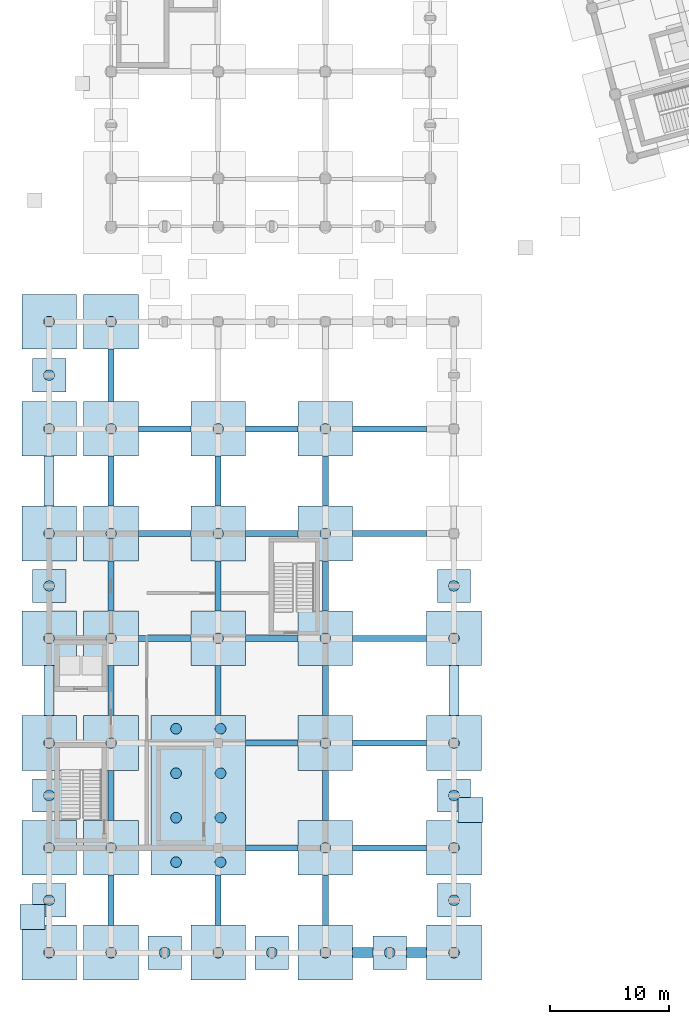
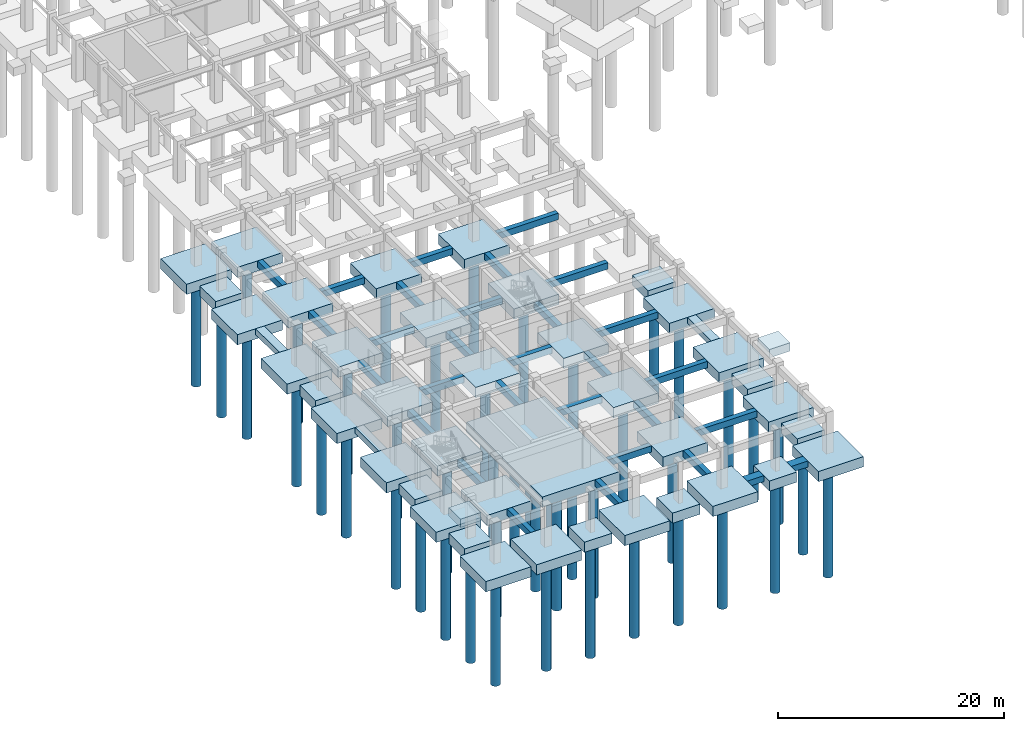
# One storey, part 1 of 20: 74 footings, 46 piles.
"""IFC4 building model written with IfcOpenShell, lengths in metres."""

from ifc_helpers import new_model, si_unit, direction, frame, origin, origin_2d, place, context, subcontext, project, spatial, rectangle, circle, extrude, material, material_profile, profile_set, type_object, element, save


model = new_model("IFC4")

# Units and contexts
model_context = context("Model", 3, precision=1e-05, world=origin(), true_north=direction((0.0, 1.0)))
body_context = subcontext(model_context, "Body", "Model", "MODEL_VIEW")
ifc_project = project(units=[si_unit("LENGTHUNIT", "METRE"), si_unit("AREAUNIT", "SQUARE_METRE"), si_unit("VOLUMEUNIT", "CUBIC_METRE"), si_unit("PLANEANGLEUNIT", "RADIAN"), si_unit("MASSUNIT", "GRAM", prefix="KILO")], contexts=[model_context])

# Site, building, storey
site_placement = place(None, origin())
site = spatial("IfcSite", under=ifc_project, at=site_placement, CompositionType="ELEMENT")
building_placement = place(site_placement, origin())
building = spatial("IfcBuilding", under=site, at=building_placement, Name="Ventoquebrada Cableway Terminal", CompositionType="ELEMENT")
storey_placement = place(building_placement, frame((0.0, 0.0, -4.5)))
storey = spatial("IfcBuildingStorey", under=building, at=storey_placement, Name="B1", CompositionType="ELEMENT", Elevation=-4.5)

# Footings
ifc_material = material(Name="Concrete C40/50", Category="concrete")
footing_type_1 = type_object("IfcFootingType", Name="FT-PC01", PredefinedType="PILE_CAP", material=ifc_material)
for number, where, z_axis, x_axis, name in (
    (1, (3.0, 3.0, -1.10009765625), (0.0, 0.0, 1.0), (1.0, 0.0, 0.0), "Reinforced concrete pile cap PC-001"),
    (2, (3.0, 11.800048828125, -1.10009765625), (0.0, 0.0, 1.0), (1.0, 0.0, 0.0), "Reinforced concrete pile cap PC-003"),
    (3, (8.199951171875, 11.800048828125, -1.10009765625), (0.0, 0.0, 1.0), (1.0, 0.0, 0.0), "Reinforced concrete pile cap PC-004"),
    (4, (3.0, 20.60009765625, -1.10009765625), (0.0, 0.0, 1.0), (1.0, 0.0, 0.0), "Reinforced concrete pile cap PC-006"),
    (5, (8.199951171875, 20.60009765625, -1.10009765625), (0.0, 0.0, 1.0), (1.0, 0.0, 0.0), "Reinforced concrete pile cap PC-007"),
    (6, (8.199951171875, 29.39990234375, -1.10009765625), (0.0, 0.0, 1.0), (1.0, 0.0, 0.0), "Reinforced concrete pile cap PC-008"),
    (7, (3.0, 29.39990234375, -1.10009765625), (0.0, 0.0, 1.0), (1.0, 0.0, 0.0), "Reinforced concrete pile cap PC-009"),
    (8, (8.199951171875, 38.199951171875, -1.10009765625), (0.0, 0.0, 1.0), (1.0, 0.0, 0.0), "Reinforced concrete pile cap PC-011"),
    (9, (3.0, 38.199951171875, -1.10009765625), (0.0, 0.0, 1.0), (1.0, 0.0, 0.0), "Reinforced concrete pile cap PC-012"),
    (10, (3.0, 47.0, -1.10009765625), (0.0, 0.0, 1.0), (1.0, 0.0, 0.0), "Reinforced concrete pile cap PC-013"),
    (11, (8.199951171875, 47.0, -1.10009765625), (0.0, 0.0, 1.0), (1.0, 0.0, 0.0), "Reinforced concrete pile cap PC-014"),
    (12, (3.0, 56.0, -1.10009765625), (0.0, 0.0, 1.0), (1.0, 0.0, 0.0), "Reinforced concrete pile cap PC-016"),
    (13, (8.199951171875, 56.0, -1.10009765625), (0.0, 0.0, 1.0), (1.0, 0.0, 0.0), "Reinforced concrete pile cap PC-017"),
    (14, (8.199951171875, 3.0, -1.10009765625), (0.0, 0.0, 1.0), (1.0, 0.0, 0.0), "Reinforced concrete pile cap PC-018"),
    (15, (17.199951171875, 3.0, -1.10009765625), (0.0, 0.0, 1.0), (1.0, 0.0, 0.0), "Reinforced concrete pile cap PC-020"),
    (16, (26.199951171875, 11.800048828125, -1.10009765625), (0.0, 0.0, 1.0), (1.0, 0.0, 0.0), "Reinforced concrete pile cap PC-023"),
    (17, (26.199951171875, 20.60009765625, -1.10009765625), (0.0, 0.0, 1.0), (1.0, 0.0, 0.0), "Reinforced concrete pile cap PC-024"),
    (18, (26.199951171875, 29.39990234375, -1.10009765625), (0.0, 0.0, 1.0), (1.0, 0.0, 0.0), "Reinforced concrete pile cap PC-025"),
    (19, (17.199951171875, 29.39990234375, -1.10009765625), (0.0, 0.0, 1.0), (1.0, 0.0, 0.0), "Reinforced concrete pile cap PC-026"),
    (20, (26.199951171875, 38.199951171875, -1.10009765625), (0.0, 0.0, 1.0), (1.0, 0.0, 0.0), "Reinforced concrete pile cap PC-027"),
    (21, (17.199951171875, 38.199951171875, -1.10009765625), (0.0, 0.0, 1.0), (1.0, 0.0, 0.0), "Reinforced concrete pile cap PC-028"),
    (22, (17.199951171875, 47.0, -1.10009765625), (0.0, 0.0, 1.0), (1.0, 0.0, 0.0), "Reinforced concrete pile cap PC-029"),
    (23, (26.199951171875, 3.0, -1.10009765625), (0.0, 0.0, 1.0), (1.0, 0.0, 0.0), "Reinforced concrete pile cap PC-033"),
    (24, (37.0, 3.0, -1.10009765625), (0.0, 0.0, 1.0), (1.0, 0.0, 0.0), "Reinforced concrete pile cap PC-035"),
    (25, (37.0, 11.800048828125, -1.10009765625), (0.0, 0.0, 1.0), (1.0, 0.0, 0.0), "Reinforced concrete pile cap PC-037"),
    (26, (37.0, 20.60009765625, -1.10009765625), (0.0, 0.0, 1.0), (1.0, 0.0, 0.0), "Reinforced concrete pile cap PC-039"),
    (27, (37.0, 29.39990234375, -1.10009765625), (0.0, 0.0, 1.0), (1.0, 0.0, 0.0), "Reinforced concrete pile cap PC-040"),
    (28, (26.199951171875, 47.0, -1.10009765625), (0.0, 0.0, 1.0), (1.0, 0.0, 0.0), "Reinforced concrete pile cap PC-043"),
):
    element("IfcFooting", number, at=place(storey_placement, frame(where, z_axis=z_axis, x_axis=x_axis)), inside=storey, type_object=footing_type_1, Name=name, PredefinedType="PILE_CAP", context=body_context, shape_type="SweptSolid", body=[
        extrude(rectangle(XDim=4.60009765625, YDim=4.60009765625, at=origin_2d()), origin(), (0.0, 0.0, 1.0), 1.10009765625),
    ])
footing_type_2 = type_object("IfcFootingType", Name="FT-PC02", PredefinedType="PILE_CAP", material=ifc_material)
for number, where, z_axis, x_axis, name in (
    (29, (3.0, 7.39990234375, -1.10009765625), (0.0, 0.0, 1.0), (1.0, 0.0, 0.0), "Reinforced concrete pile cap PC-002"),
    (30, (3.0, 16.199951171875, -1.10009765625), (0.0, 0.0, 1.0), (1.0, 0.0, 0.0), "Reinforced concrete pile cap PC-005"),
    (31, (3.0, 33.800048828125, -1.10009765625), (0.0, 0.0, 1.0), (1.0, 0.0, 0.0), "Reinforced concrete pile cap PC-010"),
    (32, (3.0, 51.5, -1.10009765625), (0.0, 0.0, 1.0), (1.0, 0.0, 0.0), "Reinforced concrete pile cap PC-015"),
    (33, (12.699951171875, 3.0, -1.10009765625), (0.0, 0.0, 1.0), (1.0, 0.0, 0.0), "Reinforced concrete pile cap PC-019"),
    (34, (21.699951171875, 3.0, -1.10009765625), (0.0, 0.0, 1.0), (1.0, 0.0, 0.0), "Reinforced concrete pile cap PC-021"),
    (35, (31.60009765625, 3.0, -1.10009765625), (0.0, 0.0, 1.0), (1.0, 0.0, 0.0), "Reinforced concrete pile cap PC-034"),
    (36, (37.0, 7.39990234375, -1.10009765625), (0.0, 0.0, 1.0), (1.0, 0.0, 0.0), "Reinforced concrete pile cap PC-036"),
    (37, (37.0, 16.199951171875, -1.10009765625), (0.0, 0.0, 1.0), (1.0, 0.0, 0.0), "Reinforced concrete pile cap PC-038"),
    (38, (37.0, 33.800048828125, -1.10009765625), (0.0, 0.0, 1.0), (1.0, 0.0, 0.0), "Reinforced concrete pile cap PC-041"),
):
    element("IfcFooting", number, at=place(storey_placement, frame(where, z_axis=z_axis, x_axis=x_axis)), inside=storey, type_object=footing_type_2, Name=name, PredefinedType="PILE_CAP", context=body_context, shape_type="SweptSolid", body=[
        extrude(rectangle(XDim=2.800048828125, YDim=2.800048828125, at=origin_2d()), origin(), (0.0, 0.0, 1.0), 1.10009765625),
    ])
footing_type_3 = type_object("IfcFootingType", Name="FT-PC03", PredefinedType="PILE_CAP", material=ifc_material)
footing_placement = place(storey_placement, frame((15.52490234375, 16.199951171875, -1.10009765625), z_axis=(0.0, 0.0, 1.0), x_axis=(1.0, 0.0, 0.0)))
element("IfcFooting", 39, at=footing_placement, inside=storey, type_object=footing_type_3, Name="Reinforced concrete pile cap PC-022", PredefinedType="PILE_CAP", context=body_context, shape_type="SweptSolid", body=[
    extrude(rectangle(XDim=7.949951171875, YDim=13.39990234375, at=origin_2d()), origin(), (0.0, 0.0, 1.0), 1.10009765625),
])
footing_type_4 = type_object("IfcFootingType", Name="FT-PD01", PredefinedType="PAD_FOOTING", material=ifc_material)
for number, where, z_axis, x_axis, name in (
    (40, (1.60009765625, 6.0, 3.320068359375), (0.0, 0.0, 1.0), (1.0, 0.0, 0.0), "Accessible ramp toe pad footing R2"),
    (41, (38.39990234375, 15.0, 3.320068359375), (0.0, 0.0, 1.0), (1.0, 0.0, 0.0), "Accessible ramp toe pad footing R3"),
):
    element("IfcFooting", number, at=place(storey_placement, frame(where, z_axis=z_axis, x_axis=x_axis)), inside=storey, type_object=footing_type_4, Name=name, PredefinedType="PAD_FOOTING", context=body_context, shape_type="SweptSolid", body=[
        extrude(rectangle(XDim=2.10009765625, YDim=2.10009765625, at=origin_2d()), origin(), (0.0, 0.0, 1.0), 0.89990234375),
    ])
footing_type_5 = type_object("IfcFootingType", Name="FT-SF01", PredefinedType="STRIP_FOOTING", material=ifc_material)
for number, where, z_axis, x_axis, name in (
    (42, (3.0, 25.0, -0.64990234375), (0.0, 0.0, 1.0), (0.0, 1.0, 0.0), "Reinforced concrete strip footing SF-001"),
    (43, (3.0, 42.60009765625, -0.64990234375), (0.0, 0.0, 1.0), (0.0, 1.0, 0.0), "Reinforced concrete strip footing SF-002"),
    (44, (37.0, 25.0, -0.64990234375), (0.0, 0.0, 1.0), (0.0, 1.0, 0.0), "Reinforced concrete strip footing SF-020"),
):
    element("IfcFooting", number, at=place(storey_placement, frame(where, z_axis=z_axis, x_axis=x_axis)), inside=storey, type_object=footing_type_5, Name=name, PredefinedType="STRIP_FOOTING", context=body_context, shape_type="SweptSolid", body=[
        extrude(rectangle(XDim=4.2041015625, YDim=0.85009765625, at=origin_2d()), origin(), (0.0, 0.0, 1.0), 0.64990234375),
    ])
footing_type_6 = type_object("IfcFootingType", Name="FT-SF04", PredefinedType="STRIP_FOOTING", material=ifc_material)
for number, where, z_axis, x_axis, name in (
    (45, (29.35009765625, 3.0, -0.64990234375), (0.0, 0.0, 1.0), (1.0, 0.0, 0.0), "Reinforced concrete strip footing SF-022"),
    (46, (33.85009765625, 3.0, -0.64990234375), (0.0, 0.0, 1.0), (1.0, 0.0, 0.0), "Reinforced concrete strip footing SF-023"),
):
    element("IfcFooting", number, at=place(storey_placement, frame(where, z_axis=z_axis, x_axis=x_axis)), inside=storey, type_object=footing_type_6, Name=name, PredefinedType="STRIP_FOOTING", context=body_context, shape_type="SweptSolid", body=[
        extrude(rectangle(XDim=1.7041015625, YDim=0.85009765625, at=origin_2d()), origin(), (0.0, 0.0, 1.0), 0.64990234375),
    ])
footing_type_7 = type_object("IfcFootingType", Name="FT-TB02", PredefinedType="FOOTING_BEAM", material=ifc_material)
for number, where, z_axis, x_axis, name in (
    (47, (8.199951171875, 7.39990234375, -0.7001953125), (0.0, 0.0, 1.0), (0.0, 1.0, 0.0), "Reinforced concrete seismic tie beam TB-003"),
    (48, (8.199951171875, 16.199951171875, -0.7001953125), (0.0, 0.0, 1.0), (0.0, 1.0, 0.0), "Reinforced concrete seismic tie beam TB-004"),
    (49, (8.199951171875, 25.0, -0.7001953125), (0.0, 0.0, 1.0), (0.0, 1.0, 0.0), "Reinforced concrete seismic tie beam TB-005"),
    (50, (8.199951171875, 33.800048828125, -0.7001953125), (0.0, 0.0, 1.0), (0.0, 1.0, 0.0), "Reinforced concrete seismic tie beam TB-006"),
    (51, (8.199951171875, 42.60009765625, -0.7001953125), (0.0, 0.0, 1.0), (0.0, 1.0, 0.0), "Reinforced concrete seismic tie beam TB-007"),
    (52, (17.199951171875, 7.39990234375, -0.7001953125), (0.0, 0.0, 1.0), (0.0, 1.0, 0.0), "Reinforced concrete seismic tie beam TB-009"),
    (53, (17.199951171875, 25.0, -0.7001953125), (0.0, 0.0, 1.0), (0.0, 1.0, 0.0), "Reinforced concrete seismic tie beam TB-010"),
    (54, (17.199951171875, 33.800048828125, -0.7001953125), (0.0, 0.0, 1.0), (0.0, 1.0, 0.0), "Reinforced concrete seismic tie beam TB-011"),
    (55, (17.199951171875, 42.60009765625, -0.7001953125), (0.0, 0.0, 1.0), (0.0, 1.0, 0.0), "Reinforced concrete seismic tie beam TB-012"),
    (56, (26.199951171875, 7.39990234375, -0.7001953125), (0.0, 0.0, 1.0), (0.0, 1.0, 0.0), "Reinforced concrete seismic tie beam TB-014"),
    (57, (26.199951171875, 16.199951171875, -0.7001953125), (0.0, 0.0, 1.0), (0.0, 1.0, 0.0), "Reinforced concrete seismic tie beam TB-015"),
    (58, (26.199951171875, 25.0, -0.7001953125), (0.0, 0.0, 1.0), (0.0, 1.0, 0.0), "Reinforced concrete seismic tie beam TB-016"),
    (59, (26.199951171875, 33.800048828125, -0.7001953125), (0.0, 0.0, 1.0), (0.0, 1.0, 0.0), "Reinforced concrete seismic tie beam TB-017"),
    (60, (26.199951171875, 42.60009765625, -0.7001953125), (0.0, 0.0, 1.0), (0.0, 1.0, 0.0), "Reinforced concrete seismic tie beam TB-018"),
):
    element("IfcFooting", number, at=place(storey_placement, frame(where, z_axis=z_axis, x_axis=x_axis)), inside=storey, type_object=footing_type_7, Name=name, PredefinedType="FOOTING_BEAM", context=body_context, shape_type="SweptSolid", body=[
        extrude(rectangle(XDim=4.2041015625, YDim=0.5, at=origin_2d()), origin(), (0.0, 0.0, 1.0), 0.699951171875),
    ])
footing_type_8 = type_object("IfcFootingType", Name="FT-TB03", PredefinedType="FOOTING_BEAM", material=ifc_material)
for number, where, z_axis, x_axis, name in (
    (61, (8.199951171875, 51.5, -0.7001953125), (0.0, 0.0, 1.0), (0.0, 1.0, 0.0), "Reinforced concrete seismic tie beam TB-008"),
    (62, (21.699951171875, 11.800048828125, -0.7001953125), (0.0, 0.0, 1.0), (1.0, 0.0, 0.0), "Reinforced concrete seismic tie beam TB-024"),
    (63, (21.699951171875, 20.60009765625, -0.7001953125), (0.0, 0.0, 1.0), (1.0, 0.0, 0.0), "Reinforced concrete seismic tie beam TB-026"),
    (64, (12.699951171875, 29.39990234375, -0.7001953125), (0.0, 0.0, 1.0), (1.0, 0.0, 0.0), "Reinforced concrete seismic tie beam TB-028"),
    (65, (21.699951171875, 29.39990234375, -0.7001953125), (0.0, 0.0, 1.0), (1.0, 0.0, 0.0), "Reinforced concrete seismic tie beam TB-029"),
    (66, (12.699951171875, 38.199951171875, -0.7001953125), (0.0, 0.0, 1.0), (1.0, 0.0, 0.0), "Reinforced concrete seismic tie beam TB-031"),
    (67, (21.699951171875, 38.199951171875, -0.7001953125), (0.0, 0.0, 1.0), (1.0, 0.0, 0.0), "Reinforced concrete seismic tie beam TB-032"),
    (68, (12.699951171875, 47.0, -0.7001953125), (0.0, 0.0, 1.0), (1.0, 0.0, 0.0), "Reinforced concrete seismic tie beam TB-034"),
    (69, (21.699951171875, 47.0, -0.7001953125), (0.0, 0.0, 1.0), (1.0, 0.0, 0.0), "Reinforced concrete seismic tie beam TB-035"),
):
    element("IfcFooting", number, at=place(storey_placement, frame(where, z_axis=z_axis, x_axis=x_axis)), inside=storey, type_object=footing_type_8, Name=name, PredefinedType="FOOTING_BEAM", context=body_context, shape_type="SweptSolid", body=[
        extrude(rectangle(XDim=4.404052734375, YDim=0.5, at=origin_2d()), origin(), (0.0, 0.0, 1.0), 0.699951171875),
    ])
footing_type_9 = type_object("IfcFootingType", Name="FT-TB05", PredefinedType="FOOTING_BEAM", material=ifc_material)
for number, where, z_axis, x_axis, name in (
    (70, (31.60009765625, 11.800048828125, -0.7001953125), (0.0, 0.0, 1.0), (1.0, 0.0, 0.0), "Reinforced concrete seismic tie beam TB-025"),
    (71, (31.60009765625, 20.60009765625, -0.7001953125), (0.0, 0.0, 1.0), (1.0, 0.0, 0.0), "Reinforced concrete seismic tie beam TB-027"),
    (72, (31.60009765625, 29.39990234375, -0.7001953125), (0.0, 0.0, 1.0), (1.0, 0.0, 0.0), "Reinforced concrete seismic tie beam TB-030"),
    (73, (31.60009765625, 38.199951171875, -0.7001953125), (0.0, 0.0, 1.0), (1.0, 0.0, 0.0), "Reinforced concrete seismic tie beam TB-033"),
    (74, (31.60009765625, 47.0, -0.7001953125), (0.0, 0.0, 1.0), (1.0, 0.0, 0.0), "Reinforced concrete seismic tie beam TB-036"),
):
    element("IfcFooting", number, at=place(storey_placement, frame(where, z_axis=z_axis, x_axis=x_axis)), inside=storey, type_object=footing_type_9, Name=name, PredefinedType="FOOTING_BEAM", context=body_context, shape_type="SweptSolid", body=[
        extrude(rectangle(XDim=6.2041015625, YDim=0.5, at=origin_2d()), origin(), (0.0, 0.0, 1.0), 0.699951171875),
    ])

# Piles
ifc_material_profile = material_profile(ifc_material, circle(Radius=0.449951171875, at=origin_2d()), Name="PILE-D900")
ifc_profile_set = profile_set([ifc_material_profile], Name="Concrete C40/50")
pile_type = type_object("IfcPileType", Name="PL-D900", PredefinedType="BORED", material=ifc_profile_set)
pile_1_placement = place(storey_placement, frame((3.0, 3.0, -1.0), z_axis=(0.0, 0.0, -1.0), x_axis=(1.0, 0.0, 0.0)))
element("IfcPile", 75, at=pile_1_placement, inside=storey, type_object=pile_type, Name="Cast-in-place bored pile FP-001", PredefinedType="BORED", context=body_context, shape_type="SweptSolid", body=[
    extrude(circle(Radius=0.449951171875, at=origin_2d()), origin(), (0.0, 0.0, 1.0), 12.199951171875),
])
pile_2_placement = place(storey_placement, frame((3.0, 7.39990234375, -1.0), z_axis=(0.0, 0.0, -1.0), x_axis=(1.0, 0.0, 0.0)))
element("IfcPile", 76, at=pile_2_placement, inside=storey, type_object=pile_type, Name="Cast-in-place bored pile FP-002", PredefinedType="BORED", context=body_context, shape_type="SweptSolid", body=[
    extrude(circle(Radius=0.449951171875, at=origin_2d()), origin(), (0.0, 0.0, 1.0), 12.39990234375),
])
pile_3_placement = place(storey_placement, frame((3.0, 11.800048828125, -1.0), z_axis=(0.0, 0.0, -1.0), x_axis=(1.0, 0.0, 0.0)))
element("IfcPile", 77, at=pile_3_placement, inside=storey, type_object=pile_type, Name="Cast-in-place bored pile FP-003", PredefinedType="BORED", context=body_context, shape_type="SweptSolid", body=[
    extrude(circle(Radius=0.449951171875, at=origin_2d()), origin(), (0.0, 0.0, 1.0), 12.60009765625),
])
pile_4_placement = place(storey_placement, frame((8.199951171875, 11.800048828125, -1.0), z_axis=(0.0, 0.0, -1.0), x_axis=(1.0, 0.0, 0.0)))
element("IfcPile", 78, at=pile_4_placement, inside=storey, type_object=pile_type, Name="Cast-in-place bored pile FP-004", PredefinedType="BORED", context=body_context, shape_type="SweptSolid", body=[
    extrude(circle(Radius=0.449951171875, at=origin_2d()), origin(), (0.0, 0.0, 1.0), 12.0),
])
pile_5_placement = place(storey_placement, frame((3.0, 16.199951171875, -1.0), z_axis=(0.0, 0.0, -1.0), x_axis=(1.0, 0.0, 0.0)))
element("IfcPile", 79, at=pile_5_placement, inside=storey, type_object=pile_type, Name="Cast-in-place bored pile FP-005", PredefinedType="BORED", context=body_context, shape_type="SweptSolid", body=[
    extrude(circle(Radius=0.449951171875, at=origin_2d()), origin(), (0.0, 0.0, 1.0), 12.199951171875),
])
pile_6_placement = place(storey_placement, frame((3.0, 20.60009765625, -1.0), z_axis=(0.0, 0.0, -1.0), x_axis=(1.0, 0.0, 0.0)))
element("IfcPile", 80, at=pile_6_placement, inside=storey, type_object=pile_type, Name="Cast-in-place bored pile FP-006", PredefinedType="BORED", context=body_context, shape_type="SweptSolid", body=[
    extrude(circle(Radius=0.449951171875, at=origin_2d()), origin(), (0.0, 0.0, 1.0), 12.39990234375),
])
pile_7_placement = place(storey_placement, frame((8.199951171875, 20.60009765625, -1.0), z_axis=(0.0, 0.0, -1.0), x_axis=(1.0, 0.0, 0.0)))
element("IfcPile", 81, at=pile_7_placement, inside=storey, type_object=pile_type, Name="Cast-in-place bored pile FP-007", PredefinedType="BORED", context=body_context, shape_type="SweptSolid", body=[
    extrude(circle(Radius=0.449951171875, at=origin_2d()), origin(), (0.0, 0.0, 1.0), 12.60009765625),
])
pile_8_placement = place(storey_placement, frame((8.199951171875, 29.39990234375, -1.0), z_axis=(0.0, 0.0, -1.0), x_axis=(1.0, 0.0, 0.0)))
element("IfcPile", 82, at=pile_8_placement, inside=storey, type_object=pile_type, Name="Cast-in-place bored pile FP-008", PredefinedType="BORED", context=body_context, shape_type="SweptSolid", body=[
    extrude(circle(Radius=0.449951171875, at=origin_2d()), origin(), (0.0, 0.0, 1.0), 12.0),
])
pile_9_placement = place(storey_placement, frame((3.0, 29.39990234375, -1.0), z_axis=(0.0, 0.0, -1.0), x_axis=(1.0, 0.0, 0.0)))
element("IfcPile", 83, at=pile_9_placement, inside=storey, type_object=pile_type, Name="Cast-in-place bored pile FP-009", PredefinedType="BORED", context=body_context, shape_type="SweptSolid", body=[
    extrude(circle(Radius=0.449951171875, at=origin_2d()), origin(), (0.0, 0.0, 1.0), 12.199951171875),
])
pile_10_placement = place(storey_placement, frame((3.0, 33.800048828125, -1.0), z_axis=(0.0, 0.0, -1.0), x_axis=(1.0, 0.0, 0.0)))
element("IfcPile", 84, at=pile_10_placement, inside=storey, type_object=pile_type, Name="Cast-in-place bored pile FP-010", PredefinedType="BORED", context=body_context, shape_type="SweptSolid", body=[
    extrude(circle(Radius=0.449951171875, at=origin_2d()), origin(), (0.0, 0.0, 1.0), 12.39990234375),
])
pile_11_placement = place(storey_placement, frame((8.199951171875, 38.199951171875, -1.0), z_axis=(0.0, 0.0, -1.0), x_axis=(1.0, 0.0, 0.0)))
element("IfcPile", 85, at=pile_11_placement, inside=storey, type_object=pile_type, Name="Cast-in-place bored pile FP-011", PredefinedType="BORED", context=body_context, shape_type="SweptSolid", body=[
    extrude(circle(Radius=0.449951171875, at=origin_2d()), origin(), (0.0, 0.0, 1.0), 12.60009765625),
])
pile_12_placement = place(storey_placement, frame((3.0, 38.199951171875, -1.0), z_axis=(0.0, 0.0, -1.0), x_axis=(1.0, 0.0, 0.0)))
element("IfcPile", 86, at=pile_12_placement, inside=storey, type_object=pile_type, Name="Cast-in-place bored pile FP-012", PredefinedType="BORED", context=body_context, shape_type="SweptSolid", body=[
    extrude(circle(Radius=0.449951171875, at=origin_2d()), origin(), (0.0, 0.0, 1.0), 12.0),
])
pile_13_placement = place(storey_placement, frame((3.0, 47.0, -1.0), z_axis=(0.0, 0.0, -1.0), x_axis=(1.0, 0.0, 0.0)))
element("IfcPile", 87, at=pile_13_placement, inside=storey, type_object=pile_type, Name="Cast-in-place bored pile FP-013", PredefinedType="BORED", context=body_context, shape_type="SweptSolid", body=[
    extrude(circle(Radius=0.449951171875, at=origin_2d()), origin(), (0.0, 0.0, 1.0), 12.199951171875),
])
pile_14_placement = place(storey_placement, frame((8.199951171875, 47.0, -1.0), z_axis=(0.0, 0.0, -1.0), x_axis=(1.0, 0.0, 0.0)))
element("IfcPile", 88, at=pile_14_placement, inside=storey, type_object=pile_type, Name="Cast-in-place bored pile FP-014", PredefinedType="BORED", context=body_context, shape_type="SweptSolid", body=[
    extrude(circle(Radius=0.449951171875, at=origin_2d()), origin(), (0.0, 0.0, 1.0), 12.39990234375),
])
pile_15_placement = place(storey_placement, frame((3.0, 51.5, -1.0), z_axis=(0.0, 0.0, -1.0), x_axis=(1.0, 0.0, 0.0)))
element("IfcPile", 89, at=pile_15_placement, inside=storey, type_object=pile_type, Name="Cast-in-place bored pile FP-015", PredefinedType="BORED", context=body_context, shape_type="SweptSolid", body=[
    extrude(circle(Radius=0.449951171875, at=origin_2d()), origin(), (0.0, 0.0, 1.0), 12.60009765625),
])
pile_16_placement = place(storey_placement, frame((3.0, 56.0, -1.0), z_axis=(0.0, 0.0, -1.0), x_axis=(1.0, 0.0, 0.0)))
element("IfcPile", 90, at=pile_16_placement, inside=storey, type_object=pile_type, Name="Cast-in-place bored pile FP-016", PredefinedType="BORED", context=body_context, shape_type="SweptSolid", body=[
    extrude(circle(Radius=0.449951171875, at=origin_2d()), origin(), (0.0, 0.0, 1.0), 12.0),
])
pile_17_placement = place(storey_placement, frame((8.199951171875, 56.0, -1.0), z_axis=(0.0, 0.0, -1.0), x_axis=(1.0, 0.0, 0.0)))
element("IfcPile", 91, at=pile_17_placement, inside=storey, type_object=pile_type, Name="Cast-in-place bored pile FP-017", PredefinedType="BORED", context=body_context, shape_type="SweptSolid", body=[
    extrude(circle(Radius=0.449951171875, at=origin_2d()), origin(), (0.0, 0.0, 1.0), 12.199951171875),
])
pile_18_placement = place(storey_placement, frame((8.199951171875, 3.0, -1.0), z_axis=(0.0, 0.0, -1.0), x_axis=(1.0, 0.0, 0.0)))
element("IfcPile", 92, at=pile_18_placement, inside=storey, type_object=pile_type, Name="Cast-in-place bored pile FP-018", PredefinedType="BORED", context=body_context, shape_type="SweptSolid", body=[
    extrude(circle(Radius=0.449951171875, at=origin_2d()), origin(), (0.0, 0.0, 1.0), 12.39990234375),
])
pile_19_placement = place(storey_placement, frame((12.699951171875, 3.0, -1.0), z_axis=(0.0, 0.0, -1.0), x_axis=(1.0, 0.0, 0.0)))
element("IfcPile", 93, at=pile_19_placement, inside=storey, type_object=pile_type, Name="Cast-in-place bored pile FP-019", PredefinedType="BORED", context=body_context, shape_type="SweptSolid", body=[
    extrude(circle(Radius=0.449951171875, at=origin_2d()), origin(), (0.0, 0.0, 1.0), 12.60009765625),
])
pile_20_placement = place(storey_placement, frame((17.199951171875, 3.0, -1.0), z_axis=(0.0, 0.0, -1.0), x_axis=(1.0, 0.0, 0.0)))
element("IfcPile", 94, at=pile_20_placement, inside=storey, type_object=pile_type, Name="Cast-in-place bored pile FP-020", PredefinedType="BORED", context=body_context, shape_type="SweptSolid", body=[
    extrude(circle(Radius=0.449951171875, at=origin_2d()), origin(), (0.0, 0.0, 1.0), 12.0),
])
pile_21_placement = place(storey_placement, frame((21.699951171875, 3.0, -1.0), z_axis=(0.0, 0.0, -1.0), x_axis=(1.0, 0.0, 0.0)))
element("IfcPile", 95, at=pile_21_placement, inside=storey, type_object=pile_type, Name="Cast-in-place bored pile FP-021", PredefinedType="BORED", context=body_context, shape_type="SweptSolid", body=[
    extrude(circle(Radius=0.449951171875, at=origin_2d()), origin(), (0.0, 0.0, 1.0), 12.199951171875),
])
pile_22_placement = place(storey_placement, frame((13.657958984375, 10.597900390625, -1.0), z_axis=(0.0, 0.0, -1.0), x_axis=(1.0, 0.0, 0.0)))
element("IfcPile", 96, at=pile_22_placement, inside=storey, type_object=pile_type, Name="Cast-in-place bored pile FP-022", PredefinedType="BORED", context=body_context, shape_type="SweptSolid", body=[
    extrude(circle(Radius=0.449951171875, at=origin_2d()), origin(), (0.0, 0.0, 1.0), 12.39990234375),
])
pile_23_placement = place(storey_placement, frame((13.657958984375, 14.33203125, -1.0), z_axis=(0.0, 0.0, -1.0), x_axis=(1.0, 0.0, 0.0)))
element("IfcPile", 97, at=pile_23_placement, inside=storey, type_object=pile_type, Name="Cast-in-place bored pile FP-023", PredefinedType="BORED", context=body_context, shape_type="SweptSolid", body=[
    extrude(circle(Radius=0.449951171875, at=origin_2d()), origin(), (0.0, 0.0, 1.0), 12.60009765625),
])
pile_24_placement = place(storey_placement, frame((13.657958984375, 18.06689453125, -1.0), z_axis=(0.0, 0.0, -1.0), x_axis=(1.0, 0.0, 0.0)))
element("IfcPile", 98, at=pile_24_placement, inside=storey, type_object=pile_type, Name="Cast-in-place bored pile FP-024", PredefinedType="BORED", context=body_context, shape_type="SweptSolid", body=[
    extrude(circle(Radius=0.449951171875, at=origin_2d()), origin(), (0.0, 0.0, 1.0), 12.0),
])
pile_25_placement = place(storey_placement, frame((13.657958984375, 21.802001953125, -1.0), z_axis=(0.0, 0.0, -1.0), x_axis=(1.0, 0.0, 0.0)))
element("IfcPile", 99, at=pile_25_placement, inside=storey, type_object=pile_type, Name="Cast-in-place bored pile FP-025", PredefinedType="BORED", context=body_context, shape_type="SweptSolid", body=[
    extrude(circle(Radius=0.449951171875, at=origin_2d()), origin(), (0.0, 0.0, 1.0), 12.199951171875),
])
pile_26_placement = place(storey_placement, frame((17.39306640625, 10.597900390625, -1.0), z_axis=(0.0, 0.0, -1.0), x_axis=(1.0, 0.0, 0.0)))
element("IfcPile", 100, at=pile_26_placement, inside=storey, type_object=pile_type, Name="Cast-in-place bored pile FP-026", PredefinedType="BORED", context=body_context, shape_type="SweptSolid", body=[
    extrude(circle(Radius=0.449951171875, at=origin_2d()), origin(), (0.0, 0.0, 1.0), 12.39990234375),
])
pile_27_placement = place(storey_placement, frame((17.39306640625, 14.33203125, -1.0), z_axis=(0.0, 0.0, -1.0), x_axis=(1.0, 0.0, 0.0)))
element("IfcPile", 101, at=pile_27_placement, inside=storey, type_object=pile_type, Name="Cast-in-place bored pile FP-027", PredefinedType="BORED", context=body_context, shape_type="SweptSolid", body=[
    extrude(circle(Radius=0.449951171875, at=origin_2d()), origin(), (0.0, 0.0, 1.0), 12.60009765625),
])
pile_28_placement = place(storey_placement, frame((17.39306640625, 18.06689453125, -1.0), z_axis=(0.0, 0.0, -1.0), x_axis=(1.0, 0.0, 0.0)))
element("IfcPile", 102, at=pile_28_placement, inside=storey, type_object=pile_type, Name="Cast-in-place bored pile FP-028", PredefinedType="BORED", context=body_context, shape_type="SweptSolid", body=[
    extrude(circle(Radius=0.449951171875, at=origin_2d()), origin(), (0.0, 0.0, 1.0), 12.0),
])
pile_29_placement = place(storey_placement, frame((17.39306640625, 21.802001953125, -1.0), z_axis=(0.0, 0.0, -1.0), x_axis=(1.0, 0.0, 0.0)))
element("IfcPile", 103, at=pile_29_placement, inside=storey, type_object=pile_type, Name="Cast-in-place bored pile FP-029", PredefinedType="BORED", context=body_context, shape_type="SweptSolid", body=[
    extrude(circle(Radius=0.449951171875, at=origin_2d()), origin(), (0.0, 0.0, 1.0), 12.199951171875),
])
pile_30_placement = place(storey_placement, frame((26.199951171875, 11.800048828125, -1.0), z_axis=(0.0, 0.0, -1.0), x_axis=(1.0, 0.0, 0.0)))
element("IfcPile", 104, at=pile_30_placement, inside=storey, type_object=pile_type, Name="Cast-in-place bored pile FP-030", PredefinedType="BORED", context=body_context, shape_type="SweptSolid", body=[
    extrude(circle(Radius=0.449951171875, at=origin_2d()), origin(), (0.0, 0.0, 1.0), 12.39990234375),
])
pile_31_placement = place(storey_placement, frame((26.199951171875, 20.60009765625, -1.0), z_axis=(0.0, 0.0, -1.0), x_axis=(1.0, 0.0, 0.0)))
element("IfcPile", 105, at=pile_31_placement, inside=storey, type_object=pile_type, Name="Cast-in-place bored pile FP-031", PredefinedType="BORED", context=body_context, shape_type="SweptSolid", body=[
    extrude(circle(Radius=0.449951171875, at=origin_2d()), origin(), (0.0, 0.0, 1.0), 12.60009765625),
])
pile_32_placement = place(storey_placement, frame((26.199951171875, 29.39990234375, -1.0), z_axis=(0.0, 0.0, -1.0), x_axis=(1.0, 0.0, 0.0)))
element("IfcPile", 106, at=pile_32_placement, inside=storey, type_object=pile_type, Name="Cast-in-place bored pile FP-032", PredefinedType="BORED", context=body_context, shape_type="SweptSolid", body=[
    extrude(circle(Radius=0.449951171875, at=origin_2d()), origin(), (0.0, 0.0, 1.0), 12.0),
])
pile_33_placement = place(storey_placement, frame((17.199951171875, 29.39990234375, -1.0), z_axis=(0.0, 0.0, -1.0), x_axis=(1.0, 0.0, 0.0)))
element("IfcPile", 107, at=pile_33_placement, inside=storey, type_object=pile_type, Name="Cast-in-place bored pile FP-033", PredefinedType="BORED", context=body_context, shape_type="SweptSolid", body=[
    extrude(circle(Radius=0.449951171875, at=origin_2d()), origin(), (0.0, 0.0, 1.0), 12.199951171875),
])
pile_34_placement = place(storey_placement, frame((26.199951171875, 38.199951171875, -1.0), z_axis=(0.0, 0.0, -1.0), x_axis=(1.0, 0.0, 0.0)))
element("IfcPile", 108, at=pile_34_placement, inside=storey, type_object=pile_type, Name="Cast-in-place bored pile FP-034", PredefinedType="BORED", context=body_context, shape_type="SweptSolid", body=[
    extrude(circle(Radius=0.449951171875, at=origin_2d()), origin(), (0.0, 0.0, 1.0), 12.39990234375),
])
pile_35_placement = place(storey_placement, frame((17.199951171875, 38.199951171875, -1.0), z_axis=(0.0, 0.0, -1.0), x_axis=(1.0, 0.0, 0.0)))
element("IfcPile", 109, at=pile_35_placement, inside=storey, type_object=pile_type, Name="Cast-in-place bored pile FP-035", PredefinedType="BORED", context=body_context, shape_type="SweptSolid", body=[
    extrude(circle(Radius=0.449951171875, at=origin_2d()), origin(), (0.0, 0.0, 1.0), 12.60009765625),
])
for number, where, z_axis, x_axis, name in (
    (110, (17.199951171875, 47.0, -1.0), (0.0, 0.0, -1.0), (1.0, 0.0, 0.0), "Cast-in-place bored pile FP-036"),
    (111, (26.199951171875, 3.0, -1.0), (0.0, 0.0, -1.0), (1.0, 0.0, 0.0), "Cast-in-place bored pile FP-040"),
):
    element("IfcPile", number, at=place(storey_placement, frame(where, z_axis=z_axis, x_axis=x_axis)), inside=storey, type_object=pile_type, Name=name, PredefinedType="BORED", context=body_context, shape_type="SweptSolid", body=[
        extrude(circle(Radius=0.449951171875, at=origin_2d()), origin(), (0.0, 0.0, 1.0), 12.0),
    ])
pile_36_placement = place(storey_placement, frame((31.60009765625, 3.0, -1.0), z_axis=(0.0, 0.0, -1.0), x_axis=(1.0, 0.0, 0.0)))
element("IfcPile", 112, at=pile_36_placement, inside=storey, type_object=pile_type, Name="Cast-in-place bored pile FP-041", PredefinedType="BORED", context=body_context, shape_type="SweptSolid", body=[
    extrude(circle(Radius=0.449951171875, at=origin_2d()), origin(), (0.0, 0.0, 1.0), 12.199951171875),
])
pile_37_placement = place(storey_placement, frame((37.0, 3.0, -1.0), z_axis=(0.0, 0.0, -1.0), x_axis=(1.0, 0.0, 0.0)))
element("IfcPile", 113, at=pile_37_placement, inside=storey, type_object=pile_type, Name="Cast-in-place bored pile FP-042", PredefinedType="BORED", context=body_context, shape_type="SweptSolid", body=[
    extrude(circle(Radius=0.449951171875, at=origin_2d()), origin(), (0.0, 0.0, 1.0), 12.39990234375),
])
pile_38_placement = place(storey_placement, frame((37.0, 7.39990234375, -1.0), z_axis=(0.0, 0.0, -1.0), x_axis=(1.0, 0.0, 0.0)))
element("IfcPile", 114, at=pile_38_placement, inside=storey, type_object=pile_type, Name="Cast-in-place bored pile FP-043", PredefinedType="BORED", context=body_context, shape_type="SweptSolid", body=[
    extrude(circle(Radius=0.449951171875, at=origin_2d()), origin(), (0.0, 0.0, 1.0), 12.60009765625),
])
pile_39_placement = place(storey_placement, frame((37.0, 11.800048828125, -1.0), z_axis=(0.0, 0.0, -1.0), x_axis=(1.0, 0.0, 0.0)))
element("IfcPile", 115, at=pile_39_placement, inside=storey, type_object=pile_type, Name="Cast-in-place bored pile FP-044", PredefinedType="BORED", context=body_context, shape_type="SweptSolid", body=[
    extrude(circle(Radius=0.449951171875, at=origin_2d()), origin(), (0.0, 0.0, 1.0), 12.0),
])
pile_40_placement = place(storey_placement, frame((37.0, 16.199951171875, -1.0), z_axis=(0.0, 0.0, -1.0), x_axis=(1.0, 0.0, 0.0)))
element("IfcPile", 116, at=pile_40_placement, inside=storey, type_object=pile_type, Name="Cast-in-place bored pile FP-045", PredefinedType="BORED", context=body_context, shape_type="SweptSolid", body=[
    extrude(circle(Radius=0.449951171875, at=origin_2d()), origin(), (0.0, 0.0, 1.0), 12.199951171875),
])
pile_41_placement = place(storey_placement, frame((37.0, 20.60009765625, -1.0), z_axis=(0.0, 0.0, -1.0), x_axis=(1.0, 0.0, 0.0)))
element("IfcPile", 117, at=pile_41_placement, inside=storey, type_object=pile_type, Name="Cast-in-place bored pile FP-046", PredefinedType="BORED", context=body_context, shape_type="SweptSolid", body=[
    extrude(circle(Radius=0.449951171875, at=origin_2d()), origin(), (0.0, 0.0, 1.0), 12.39990234375),
])
pile_42_placement = place(storey_placement, frame((37.0, 29.39990234375, -1.0), z_axis=(0.0, 0.0, -1.0), x_axis=(1.0, 0.0, 0.0)))
element("IfcPile", 118, at=pile_42_placement, inside=storey, type_object=pile_type, Name="Cast-in-place bored pile FP-047", PredefinedType="BORED", context=body_context, shape_type="SweptSolid", body=[
    extrude(circle(Radius=0.449951171875, at=origin_2d()), origin(), (0.0, 0.0, 1.0), 12.60009765625),
])
pile_43_placement = place(storey_placement, frame((37.0, 33.800048828125, -1.0), z_axis=(0.0, 0.0, -1.0), x_axis=(1.0, 0.0, 0.0)))
element("IfcPile", 119, at=pile_43_placement, inside=storey, type_object=pile_type, Name="Cast-in-place bored pile FP-048", PredefinedType="BORED", context=body_context, shape_type="SweptSolid", body=[
    extrude(circle(Radius=0.449951171875, at=origin_2d()), origin(), (0.0, 0.0, 1.0), 12.0),
])
pile_44_placement = place(storey_placement, frame((26.199951171875, 47.0, -1.0), z_axis=(0.0, 0.0, -1.0), x_axis=(1.0, 0.0, 0.0)))
element("IfcPile", 120, at=pile_44_placement, inside=storey, type_object=pile_type, Name="Cast-in-place bored pile FP-050", PredefinedType="BORED", context=body_context, shape_type="SweptSolid", body=[
    extrude(circle(Radius=0.449951171875, at=origin_2d()), origin(), (0.0, 0.0, 1.0), 12.39990234375),
])

save(model, "model.ifc")
